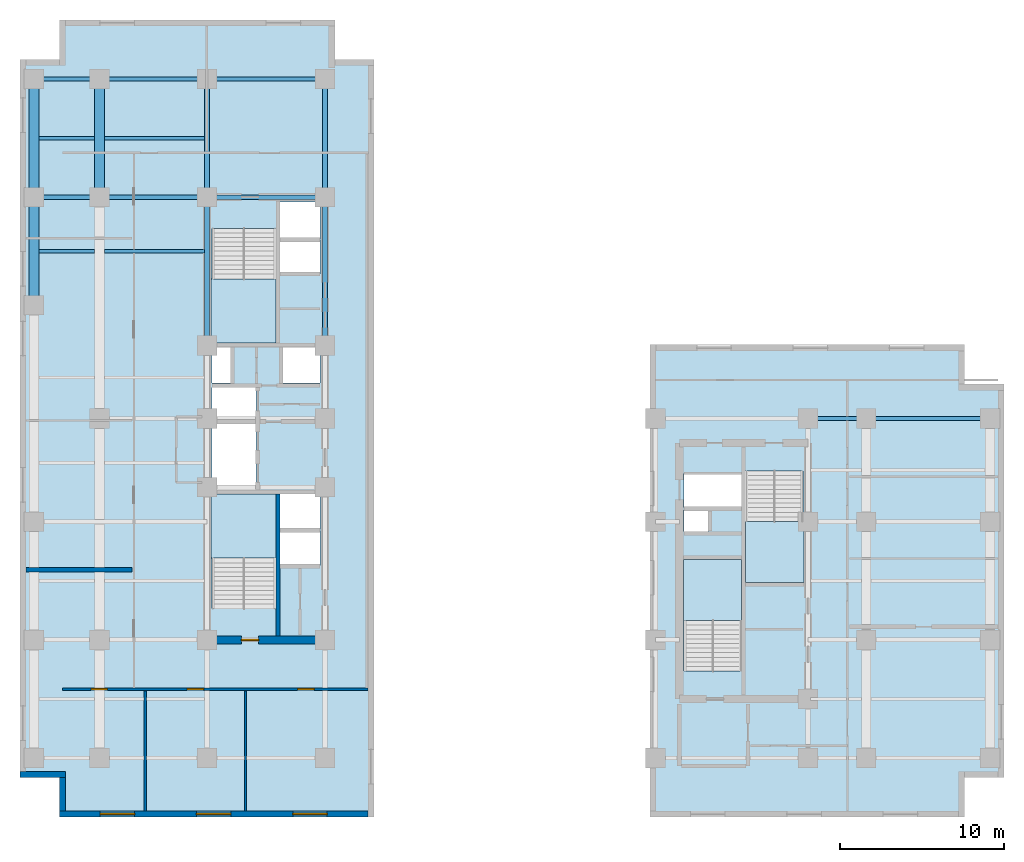
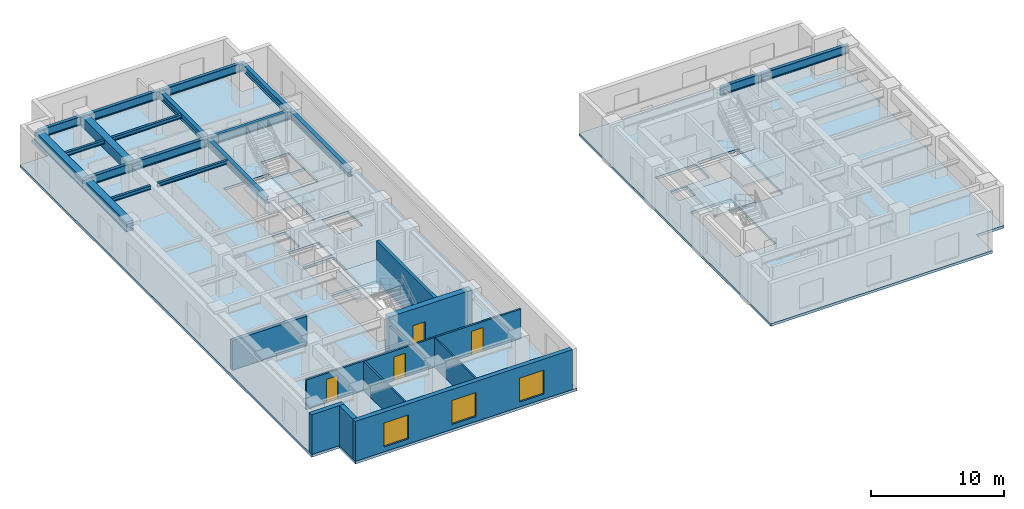
# One storey, part 2 of 9: 19 beams, 9 walls, 6 slabs, 4 doors, 3 windows, 7 openings, 4 elements without a shape of their own.
"""IFC4 building model written with IfcOpenShell, lengths in metres."""

import ifcopenshell
import ifcopenshell.guid

model = None  # the IFC model being written
_history = None  # IfcOwnerHistory: only IFC2X3 demands one
_inside = {}  # id of a spatial element -> (the spatial element, [elements in it])
_under = {}  # id of a project, library or spatial element -> (it, [spatial elements below it])
_declared = {}  # id of a project -> (the project, [libraries it declares])
_typed = {}  # id of a type object -> (the type object, [elements of that type])
_made_of = {}  # id of a material, layer set ... -> (it, [elements and type objects made of it])


def new_model(schema):
    """Start an empty IFC model of exactly this schema.

    Asked for "IFC4X3", IfcOpenShell would pick the latest addendum, in which some entities
    have other attributes; the version numbers below select the first issue.
    IFC2X3 requires an IfcOwnerHistory on every rooted entity: one is made here for all.
    """
    global model, _history
    if schema == "IFC4X3":
        model = ifcopenshell.file(schema_version=(4, 3, 0, 0))
    else:
        model = ifcopenshell.file(schema=schema)
    _inside.clear()
    _under.clear()
    _declared.clear()
    _typed.clear()
    _made_of.clear()
    _history = None
    if model.schema == "IFC2X3":
        org = make("IfcOrganization", Name="unknown")
        user = make(
            "IfcPersonAndOrganization",
            ThePerson=make("IfcPerson", FamilyName="unknown"),
            TheOrganization=org,
        )
        app = make(
            "IfcApplication",
            ApplicationDeveloper=org,
            Version="unknown",
            ApplicationFullName="unknown",
            ApplicationIdentifier="unknown",
        )
        _history = make(
            "IfcOwnerHistory",
            OwningUser=user,
            OwningApplication=app,
            ChangeAction="ADDED",
            CreationDate=0,
        )
    return model


def make(cls, **values):
    """One entity of the class cls with the attributes given. An attribute that is None is left unset."""
    return model.create_entity(
        cls, **{name: value for name, value in values.items() if value is not None}
    )


def entity(cls, *values):
    """Any entity or typed value of the class cls, its attributes in the order of the schema. None: left unset."""
    e = model.create_entity(cls)
    for i, value in enumerate(values):
        if value is not None:
            e[i] = value
    return e


def rooted(cls, **values):
    """An entity with a GlobalId (a new one), such as an element, a storey or a relation."""
    return make(cls, GlobalId=ifcopenshell.guid.new(), OwnerHistory=_history, **values)


def si_unit(unit_type, name, prefix=None):
    """IfcSIUnit, for example si_unit("LENGTHUNIT", "METRE", prefix="MILLI")."""
    return make("IfcSIUnit", UnitType=unit_type, Prefix=prefix, Name=name)


def converted_unit(unit_type, name, factor, base, dimensions=None, offset=None):
    """IfcConversionBasedUnit, such as the inch: factor (a typed value) times the base unit."""
    return make(
        "IfcConversionBasedUnit"
        if offset is None
        else "IfcConversionBasedUnitWithOffset",
        ConversionOffset=offset,
        Dimensions=None
        if dimensions is None
        else entity("IfcDimensionalExponents", *dimensions),
        UnitType=unit_type,
        Name=name,
        ConversionFactor=make(
            "IfcMeasureWithUnit", ValueComponent=factor, UnitComponent=base
        ),
    )


def assignment(units):
    """IfcUnitAssignment: the units of a project."""
    return None if units is None else make("IfcUnitAssignment", Units=units)


def point(xyz):
    """IfcCartesianPoint."""
    return None if xyz is None else make("IfcCartesianPoint", Coordinates=xyz)


def direction(xyz):
    """IfcDirection."""
    return None if xyz is None else make("IfcDirection", DirectionRatios=xyz)


def frame(location, z_axis=None, x_axis=None):
    """IfcAxis2Placement3D, a coordinate frame: its origin and axes. An axis left out is left unset."""
    return make(
        "IfcAxis2Placement3D",
        Location=point(location),
        Axis=direction(z_axis),
        RefDirection=direction(x_axis),
    )


def frame_2d(location, x_axis=None):
    """IfcAxis2Placement2D, a coordinate frame in the plane: its origin and x axis."""
    return make(
        "IfcAxis2Placement2D", Location=point(location), RefDirection=direction(x_axis)
    )


def origin_with_axes():
    """The frame at (0, 0, 0) with the z axis (0, 0, 1) and the x axis (1, 0, 0) written out."""
    return frame((0.0, 0.0, 0.0), z_axis=(0.0, 0.0, 1.0), x_axis=(1.0, 0.0, 0.0))


def origin_2d_with_axis():
    """The frame at (0, 0) in the plane with the x axis (1, 0) written out."""
    return frame_2d((0.0, 0.0), x_axis=(1.0, 0.0))


def place(relative_to, where):
    """IfcLocalPlacement: puts the frame where relative to a parent placement (None: the world)."""
    return make(
        "IfcLocalPlacement", PlacementRelTo=relative_to, RelativePlacement=where
    )


def context(
    kind, dimensions, precision=None, world=None, true_north=None, identifier=None
):
    """IfcGeometricRepresentationContext, for example the 3D "Model" context."""
    return make(
        "IfcGeometricRepresentationContext",
        ContextIdentifier=identifier,
        ContextType=kind,
        CoordinateSpaceDimension=dimensions,
        Precision=precision,
        WorldCoordinateSystem=world,
        TrueNorth=true_north,
    )


def subcontext(parent, identifier, kind, view, scale=None):
    """IfcGeometricRepresentationSubContext, for example "Body" below "Model"."""
    return make(
        "IfcGeometricRepresentationSubContext",
        ContextIdentifier=identifier,
        ContextType=kind,
        ParentContext=parent,
        TargetScale=scale,
        TargetView=view,
    )


def project(units=None, contexts=None):
    """IfcProject with its units and contexts."""
    return rooted(
        "IfcProject",
        Name="project",
        RepresentationContexts=contexts,
        UnitsInContext=assignment(units),
    )


def spatial(cls, under=None, at=None, **own):
    """A site, building, storey or space (cls), placed at a placement, below another one or the project."""
    s = rooted(cls, ObjectPlacement=at, **own)
    if under is not None:
        _under.setdefault(under.id(), (under, []))[1].append(s)
    return s


def polyline(points):
    """IfcPolyline through the points."""
    return make("IfcPolyline", Points=[point(p) for p in points])


def profile(cls, at=None, kind="AREA", **sizes):
    """A parametric profile (cls). Its sizes go by their IFC names, for example OverallWidth=200.0."""
    return make(cls, ProfileType=kind, Position=at, **sizes)


def rectangle(**sizes):
    """IfcRectangleProfileDef."""
    return profile("IfcRectangleProfileDef", **sizes)


def i_section(**sizes):
    """IfcIShapeProfileDef."""
    return profile("IfcIShapeProfileDef", **sizes)


def outline(outer, holes=None, kind="AREA"):
    """IfcArbitraryClosedProfileDef: a profile drawn as a closed curve; with holes, ...WithVoids."""
    if holes is None:
        return make("IfcArbitraryClosedProfileDef", ProfileType=kind, OuterCurve=outer)
    return make(
        "IfcArbitraryProfileDefWithVoids",
        ProfileType=kind,
        OuterCurve=outer,
        InnerCurves=holes,
    )


def extrude(swept, where, along, depth):
    """IfcExtrudedAreaSolid: the profile swept, set in the frame where, extruded along a direction by depth."""
    return make(
        "IfcExtrudedAreaSolid",
        SweptArea=swept,
        Position=where,
        ExtrudedDirection=direction(along),
        Depth=depth,
    )


def shape(context_of_items, identifier, shape_type, items):
    """IfcShapeRepresentation: the items that make up one representation, for example the "Body"."""
    return make(
        "IfcShapeRepresentation",
        ContextOfItems=context_of_items,
        RepresentationIdentifier=identifier,
        RepresentationType=shape_type,
        Items=items,
    )


def material(Name=None, Category=None):
    """IfcMaterial."""
    return make("IfcMaterial", Name=Name, Category=Category)


def layer(
    of_material, thickness, ventilated=None, Name=None, Category=None, Priority=None
):
    """IfcMaterialLayer: one layer of a wall or slab, of a material (None: an air gap)."""
    return make(
        "IfcMaterialLayer",
        Material=of_material,
        LayerThickness=thickness,
        IsVentilated=ventilated,
        Name=Name,
        Category=Category,
        Priority=Priority,
    )


def layer_set(layers, Name=None):
    """IfcMaterialLayerSet."""
    return make("IfcMaterialLayerSet", MaterialLayers=layers, LayerSetName=Name)


def material_profile(
    of_material, cross_section, Name=None, Category=None, Priority=None
):
    """IfcMaterialProfile: a cross section and its material."""
    return make(
        "IfcMaterialProfile",
        Name=Name,
        Material=of_material,
        Profile=cross_section,
        Priority=Priority,
        Category=Category,
    )


def profile_set(profiles, Name=None, composite=None):
    """IfcMaterialProfileSet."""
    return make(
        "IfcMaterialProfileSet",
        Name=Name,
        MaterialProfiles=profiles,
        CompositeProfile=composite,
    )


def made_of(thing, what):
    """Note that an element or type object is made of a material, layer set ...; save() writes the relation."""
    if what is not None:
        _made_of.setdefault(what.id(), (what, []))[1].append(thing)
    return thing


def type_object(cls, material=None, **own):
    """A type object (cls), such as IfcWallType, which elements share."""
    return made_of(rooted(cls, **own), material)


def element(
    cls,
    number,
    at=None,
    inside=None,
    cuts=None,
    type_object=None,
    material=None,
    context=None,
    identifier="Body",
    shape_type=None,
    held_by="IfcProductDefinitionShape",
    body=None,
    shapes=None,
    **own,
):
    """One element of the class cls, such as IfcWall. Its Tag is "e" and its number.

    at: its placement. inside: the storey or other place that contains it. cuts: it is an
    opening in that element (IfcRelVoidsElement). A single representation is given by context,
    identifier, shape_type and body (its items); several are given by shapes. held_by: the class
    of the entity that holds the representations. save() writes the other relations.
    """
    e = rooted(cls, Tag="e%d" % number, ObjectPlacement=at, **own)
    if body is not None:
        shapes = [shape(context, identifier, shape_type, body)]
    if shapes is not None:
        e.Representation = make(held_by, Representations=shapes)
    if inside is not None:
        _inside.setdefault(inside.id(), (inside, []))[1].append(e)
    if cuts is not None:
        rooted(
            "IfcRelVoidsElement", RelatingBuildingElement=cuts, RelatedOpeningElement=e
        )
    if type_object is not None:
        _typed.setdefault(type_object.id(), (type_object, []))[1].append(e)
    return made_of(e, material)


def fill(opening, filler):
    """IfcRelFillsElement: the door or window that sits in an opening."""
    return rooted(
        "IfcRelFillsElement",
        RelatingOpeningElement=opening,
        RelatedBuildingElement=filler,
    )


def aggregate(whole, parts):
    """IfcRelAggregates: a whole, such as a stair, and the parts it consists of."""
    return rooted("IfcRelAggregates", RelatingObject=whole, RelatedObjects=parts)


def save(model, path):
    """Write the relations noted so far, then the file.

    IfcRelAggregates (storeys below a building ...), IfcRelContainedInSpatialStructure (elements
    in a storey), IfcRelDefinesByType, IfcRelAssociatesMaterial and IfcRelDeclares: one each for
    every whole, place, type object, material and project.
    """
    for whole, parts in _under.values():
        aggregate(whole, parts)
    for where, things in _inside.values():
        rooted(
            "IfcRelContainedInSpatialStructure",
            RelatedElements=things,
            RelatingStructure=where,
        )
    for kind, things in _typed.values():
        rooted("IfcRelDefinesByType", RelatedObjects=things, RelatingType=kind)
    for what, things in _made_of.values():
        rooted("IfcRelAssociatesMaterial", RelatedObjects=things, RelatingMaterial=what)
    for by, libraries in _declared.values():
        rooted("IfcRelDeclares", RelatingContext=by, RelatedDefinitions=libraries)
    model.write(path)


model = new_model("IFC4")

# Units and contexts
model_context = context("Model", 3, precision=1e-05, world=origin_with_axes(), true_north=direction((0.0, 1.0)))
body_context = subcontext(model_context, "Body", "Model", "MODEL_VIEW")
ifc_project = project(units=[si_unit("LENGTHUNIT", "METRE"), si_unit("AREAUNIT", "SQUARE_METRE"), si_unit("VOLUMEUNIT", "CUBIC_METRE"), converted_unit("PLANEANGLEUNIT", "DEGREE", entity("IfcPlaneAngleMeasure", 0.017453292519943295), si_unit("PLANEANGLEUNIT", "RADIAN"), dimensions=[0, 0, 0, 0, 0, 0, 0]), si_unit("MASSUNIT", "GRAM", prefix="KILO"), si_unit("THERMODYNAMICTEMPERATUREUNIT", "KELVIN")], contexts=[model_context])

# Site, building, storey
site_placement = place(None, origin_with_axes())
site = spatial("IfcSite", under=ifc_project, at=site_placement, CompositionType="ELEMENT")
building_placement = place(site_placement, origin_with_axes())
building = spatial("IfcBuilding", under=site, at=building_placement, Name="Varnlund Millrace Tower", CompositionType="ELEMENT")
storey_placement = place(building_placement, frame((0.0, 0.0, 96.9), z_axis=(0.0, 0.0, 1.0), x_axis=(1.0, 0.0, 0.0)))
storey = spatial("IfcBuildingStorey", under=building, at=storey_placement, Name="L23", CompositionType="ELEMENT", Elevation=96.9)

# Beams
ifc_material_1 = material(Name="Steel ASTM A992 Grade 50", Category="steel")
ifc_material_profile_1 = material_profile(ifc_material_1, i_section(OverallWidth=0.328, OverallDepth=0.628, WebThickness=0.0165, FlangeThickness=0.0277, FilletRadius=0.018, at=origin_2d_with_axis()), Name="Steel ASTM A992 Grade 50")
ifc_profile_set_1 = profile_set([ifc_material_profile_1], Name="Steel ASTM A992 Grade 50")
beam_type_1 = type_object("IfcBeamType", Name="Type-Girder-W24X146", PredefinedType="USERDEFINED", material=ifc_profile_set_1)
beam_1_placement = place(storey_placement, frame((11.4, 28.75, 3.346), z_axis=(0.0, 1.0, 0.0), x_axis=(-1.0, 0.0, 0.0)))
element("IfcBeam", 1, at=beam_1_placement, inside=storey, type_object=beam_type_1, Name="Type-Girder-W24X146", ObjectType="GIRDER", PredefinedType="USERDEFINED", context=body_context, shape_type="SweptSolid", body=[
    extrude(i_section(OverallWidth=0.328, OverallDepth=0.628, WebThickness=0.0165, FlangeThickness=0.0277, FilletRadius=0.018, at=origin_2d_with_axis()), origin_with_axes(), (0.0, 0.0, 1.0), 9.05),
])
beam_2_placement = place(storey_placement, frame((11.4, 37.8, 3.346), z_axis=(0.0, 1.0, 0.0), x_axis=(-1.0, 0.0, 0.0)))
element("IfcBeam", 2, at=beam_2_placement, inside=storey, type_object=beam_type_1, Name="Type-Girder-W24X146", ObjectType="GIRDER", PredefinedType="USERDEFINED", context=body_context, shape_type="SweptSolid", body=[
    extrude(i_section(OverallWidth=0.328, OverallDepth=0.628, WebThickness=0.0165, FlangeThickness=0.0277, FilletRadius=0.018, at=origin_2d_with_axis()), origin_with_axes(), (0.0, 0.0, 1.0), 7.2),
])
beam_3_placement = place(storey_placement, frame((18.6, 28.75, 3.346), z_axis=(0.0, 1.0, 0.0), x_axis=(-1.0, 0.0, 0.0)))
element("IfcBeam", 3, at=beam_3_placement, inside=storey, type_object=beam_type_1, Name="Type-Girder-W24X146", ObjectType="GIRDER", PredefinedType="USERDEFINED", context=body_context, shape_type="SweptSolid", body=[
    extrude(i_section(OverallWidth=0.328, OverallDepth=0.628, WebThickness=0.0165, FlangeThickness=0.0277, FilletRadius=0.018, at=origin_2d_with_axis()), origin_with_axes(), (0.0, 0.0, 1.0), 9.05),
])
beam_4_placement = place(storey_placement, frame((18.6, 37.8, 3.346), z_axis=(0.0, 1.0, 0.0), x_axis=(-1.0, 0.0, 0.0)))
element("IfcBeam", 4, at=beam_4_placement, inside=storey, type_object=beam_type_1, Name="Type-Girder-W24X146", ObjectType="GIRDER", PredefinedType="USERDEFINED", context=body_context, shape_type="SweptSolid", body=[
    extrude(i_section(OverallWidth=0.328, OverallDepth=0.628, WebThickness=0.0165, FlangeThickness=0.0277, FilletRadius=0.018, at=origin_2d_with_axis()), origin_with_axes(), (0.0, 0.0, 1.0), 7.2),
])
ifc_material_profile_2 = material_profile(ifc_material_1, i_section(OverallWidth=0.266, OverallDepth=0.779, WebThickness=0.0165, FlangeThickness=0.03, FilletRadius=0.02, at=origin_2d_with_axis()), Name="Steel ASTM A992 Grade 50")
ifc_profile_set_2 = profile_set([ifc_material_profile_2], Name="Steel ASTM A992 Grade 50")
beam_type_2 = type_object("IfcBeamType", Name="Type-Girder-W30X148", PredefinedType="USERDEFINED", material=ifc_profile_set_2)
beam_5_placement = place(storey_placement, frame((48.05, 24.3, 3.2705), z_axis=(1.0, 0.0, 0.0), x_axis=(0.0, 1.0, 0.0)))
element("IfcBeam", 5, at=beam_5_placement, inside=storey, type_object=beam_type_2, Name="Type-Girder-W30X148", ObjectType="GIRDER", PredefinedType="USERDEFINED", context=body_context, shape_type="SweptSolid", body=[
    extrude(i_section(OverallWidth=0.266, OverallDepth=0.779, WebThickness=0.0165, FlangeThickness=0.03, FilletRadius=0.02, at=origin_2d_with_axis()), origin_with_axes(), (0.0, 0.0, 1.0), 3.55),
])
beam_6_placement = place(storey_placement, frame((51.6, 24.3, 3.2705), z_axis=(1.0, 0.0, 0.0), x_axis=(0.0, 1.0, 0.0)))
element("IfcBeam", 6, at=beam_6_placement, inside=storey, type_object=beam_type_2, Name="Type-Girder-W30X148", ObjectType="GIRDER", PredefinedType="USERDEFINED", context=body_context, shape_type="SweptSolid", body=[
    extrude(i_section(OverallWidth=0.266, OverallDepth=0.779, WebThickness=0.0165, FlangeThickness=0.03, FilletRadius=0.02, at=origin_2d_with_axis()), origin_with_axes(), (0.0, 0.0, 1.0), 7.55),
])
beam_7_placement = place(storey_placement, frame((0.85, 37.8, 3.2705), z_axis=(1.0, 0.0, 0.0), x_axis=(0.0, 1.0, 0.0)))
element("IfcBeam", 7, at=beam_7_placement, inside=storey, type_object=beam_type_2, Name="Type-Girder-W30X148", ObjectType="GIRDER", PredefinedType="USERDEFINED", context=body_context, shape_type="SweptSolid", body=[
    extrude(i_section(OverallWidth=0.266, OverallDepth=0.779, WebThickness=0.0165, FlangeThickness=0.03, FilletRadius=0.02, at=origin_2d_with_axis()), origin_with_axes(), (0.0, 0.0, 1.0), 4.0),
])
beam_8_placement = place(storey_placement, frame((4.85, 37.8, 3.2705), z_axis=(1.0, 0.0, 0.0), x_axis=(0.0, 1.0, 0.0)))
element("IfcBeam", 8, at=beam_8_placement, inside=storey, type_object=beam_type_2, Name="Type-Girder-W30X148", ObjectType="GIRDER", PredefinedType="USERDEFINED", context=body_context, shape_type="SweptSolid", body=[
    extrude(i_section(OverallWidth=0.266, OverallDepth=0.779, WebThickness=0.0165, FlangeThickness=0.03, FilletRadius=0.02, at=origin_2d_with_axis()), origin_with_axes(), (0.0, 0.0, 1.0), 6.55),
])
beam_9_placement = place(storey_placement, frame((11.4, 37.8, 3.2705), z_axis=(1.0, 0.0, 0.0), x_axis=(0.0, 1.0, 0.0)))
element("IfcBeam", 9, at=beam_9_placement, inside=storey, type_object=beam_type_2, Name="Type-Girder-W30X148", ObjectType="GIRDER", PredefinedType="USERDEFINED", context=body_context, shape_type="SweptSolid", body=[
    extrude(i_section(OverallWidth=0.266, OverallDepth=0.779, WebThickness=0.0165, FlangeThickness=0.03, FilletRadius=0.02, at=origin_2d_with_axis()), origin_with_axes(), (0.0, 0.0, 1.0), 7.2),
])
beam_10_placement = place(storey_placement, frame((0.85, 45.0, 3.2705), z_axis=(1.0, 0.0, 0.0), x_axis=(0.0, 1.0, 0.0)))
element("IfcBeam", 10, at=beam_10_placement, inside=storey, type_object=beam_type_2, Name="Type-Girder-W30X148", ObjectType="GIRDER", PredefinedType="USERDEFINED", context=body_context, shape_type="SweptSolid", body=[
    extrude(i_section(OverallWidth=0.266, OverallDepth=0.779, WebThickness=0.0165, FlangeThickness=0.03, FilletRadius=0.02, at=origin_2d_with_axis()), origin_with_axes(), (0.0, 0.0, 1.0), 4.0),
])
beam_11_placement = place(storey_placement, frame((4.85, 45.0, 3.2705), z_axis=(1.0, 0.0, 0.0), x_axis=(0.0, 1.0, 0.0)))
element("IfcBeam", 11, at=beam_11_placement, inside=storey, type_object=beam_type_2, Name="Type-Girder-W30X148", ObjectType="GIRDER", PredefinedType="USERDEFINED", context=body_context, shape_type="SweptSolid", body=[
    extrude(i_section(OverallWidth=0.266, OverallDepth=0.779, WebThickness=0.0165, FlangeThickness=0.03, FilletRadius=0.02, at=origin_2d_with_axis()), origin_with_axes(), (0.0, 0.0, 1.0), 6.55),
])
beam_12_placement = place(storey_placement, frame((11.4, 45.0, 3.2705), z_axis=(1.0, 0.0, 0.0), x_axis=(0.0, 1.0, 0.0)))
element("IfcBeam", 12, at=beam_12_placement, inside=storey, type_object=beam_type_2, Name="Type-Girder-W30X148", ObjectType="GIRDER", PredefinedType="USERDEFINED", context=body_context, shape_type="SweptSolid", body=[
    extrude(i_section(OverallWidth=0.266, OverallDepth=0.779, WebThickness=0.0165, FlangeThickness=0.03, FilletRadius=0.02, at=origin_2d_with_axis()), origin_with_axes(), (0.0, 0.0, 1.0), 7.2),
])
ifc_material_profile_3 = material_profile(ifc_material_1, i_section(OverallWidth=0.204, OverallDepth=0.35, WebThickness=0.0086, FlangeThickness=0.0151, FilletRadius=0.013, at=origin_2d_with_axis()), Name="Steel ASTM A992 Grade 50")
ifc_profile_set_3 = profile_set([ifc_material_profile_3], Name="Steel ASTM A992 Grade 50")
beam_type_3 = type_object("IfcBeamType", Name="Type-Joist-W14X48", PredefinedType="JOIST", material=ifc_profile_set_3)
for number, where, z_axis, x_axis, name in (
    (13, (1.15, 34.5, 3.485), (1.0, 0.0, 0.0), (0.0, 1.0, 0.0), "Type-Joist-W14X48"),
    (14, (1.15, 41.4, 3.485), (1.0, 0.0, 0.0), (0.0, 1.0, 0.0), "Type-Joist-W14X48"),
):
    element("IfcBeam", number, at=place(storey_placement, frame(where, z_axis=z_axis, x_axis=x_axis)), inside=storey, type_object=beam_type_3, Name=name, PredefinedType="JOIST", context=body_context, shape_type="SweptSolid", body=[
        extrude(i_section(OverallWidth=0.204, OverallDepth=0.35, WebThickness=0.0086, FlangeThickness=0.0151, FilletRadius=0.013, at=origin_2d_with_axis()), origin_with_axes(), (0.0, 0.0, 1.0), 3.4),
    ])
for number, where, z_axis, x_axis, name in (
    (15, (5.15, 34.5, 3.485), (1.0, 0.0, 0.0), (0.0, 1.0, 0.0), "Type-Joist-W14X48"),
    (16, (5.15, 41.4, 3.485), (1.0, 0.0, 0.0), (0.0, 1.0, 0.0), "Type-Joist-W14X48"),
):
    element("IfcBeam", number, at=place(storey_placement, frame(where, z_axis=z_axis, x_axis=x_axis)), inside=storey, type_object=beam_type_3, Name=name, PredefinedType="JOIST", context=body_context, shape_type="SweptSolid", body=[
        extrude(i_section(OverallWidth=0.204, OverallDepth=0.35, WebThickness=0.0086, FlangeThickness=0.0151, FilletRadius=0.013, at=origin_2d_with_axis()), origin_with_axes(), (0.0, 0.0, 1.0), 6.086),
    ])
ifc_material_2 = material(Name="Concrete C70/85", Category="concrete")
ifc_material_profile_4 = material_profile(ifc_material_2, rectangle(XDim=0.6, YDim=0.9, at=origin_2d_with_axis()), Name="Concrete C70/85")
ifc_profile_set_4 = profile_set([ifc_material_profile_4], Name="Concrete C70/85")
beam_type_4 = type_object("IfcBeamType", Name="Type-Spandrel-RC600X900", PredefinedType="SPANDREL", material=ifc_profile_set_4)
beam_13_placement = place(storey_placement, frame((0.85, 31.2, 3.21), z_axis=(0.0, 1.0, 0.0), x_axis=(-1.0, 0.0, 0.0)))
element("IfcBeam", 17, at=beam_13_placement, inside=storey, type_object=beam_type_4, Name="Type-Spandrel-RC600X900", PredefinedType="SPANDREL", context=body_context, shape_type="SweptSolid", body=[
    extrude(rectangle(XDim=0.6, YDim=0.9, at=origin_2d_with_axis()), origin_with_axes(), (0.0, 0.0, 1.0), 6.6),
])
for number, where, z_axis, x_axis, name in (
    (18, (0.85, 37.8, 3.21), (0.0, 1.0, 0.0), (-1.0, 0.0, 0.0), "Type-Spandrel-RC600X900"),
    (19, (4.85, 37.8, 3.21), (0.0, 1.0, 0.0), (-1.0, 0.0, 0.0), "Type-Spandrel-RC600X900"),
):
    element("IfcBeam", number, at=place(storey_placement, frame(where, z_axis=z_axis, x_axis=x_axis)), inside=storey, type_object=beam_type_4, Name=name, PredefinedType="SPANDREL", context=body_context, shape_type="SweptSolid", body=[
        extrude(rectangle(XDim=0.6, YDim=0.9, at=origin_2d_with_axis()), origin_with_axes(), (0.0, 0.0, 1.0), 7.2),
    ])

# Slabs
ifc_material_3 = material(Name="Concrete C60/75", Category="concrete")
ifc_layer_1 = layer(ifc_material_3, 0.24, Name="Concrete C60/75")
ifc_layer_set_1 = layer_set([ifc_layer_1], Name="Concrete C60/75")
slab_type_1 = type_object("IfcSlabType", Name="Type-Deck-Plate-Typical-240", PredefinedType="FLOOR", material=ifc_layer_set_1)
slab_1_placement = place(storey_placement, frame((0.0, 0.0, -0.24), z_axis=(0.0, 0.0, 1.0), x_axis=(1.0, 0.0, 0.0)))
element("IfcSlab", 20, at=slab_1_placement, inside=storey, type_object=slab_type_1, Name="Type-Deck-Plate-Typical-240", PredefinedType="FLOOR", context=body_context, shape_type="SweptSolid", body=[
    extrude(outline(polyline([(2.4, 2.4), (2.4, 0.0), (21.6, 0.0), (21.6, 46.2), (19.2, 46.2), (19.2, 48.6), (2.4, 48.6), (2.4, 46.2), (0.0, 46.2), (0.0, 2.4), (2.4, 2.4)]), holes=[polyline([(15.6, 19.7), (15.6, 12.715), (11.7, 12.715), (11.7, 19.7), (15.6, 19.7)]), polyline([(11.7, 23.98), (14.38, 23.98), (14.38, 19.94), (11.7, 19.94), (11.7, 23.98)]), polyline([(14.38, 24.24), (11.7, 24.24), (11.7, 26.2), (14.38, 26.2), (14.38, 24.24)]), polyline([(12.84, 26.46), (11.7, 26.46), (11.7, 28.65), (12.84, 28.65), (12.84, 26.46)]), polyline([(15.6, 35.885), (15.6, 28.9), (11.7, 28.9), (11.7, 35.885), (15.6, 35.885)]), polyline([(18.3, 15.34), (15.84, 15.34), (15.84, 17.46), (18.3, 17.46), (18.3, 15.34)]), polyline([(18.3, 17.52), (15.84, 17.52), (15.84, 19.7), (18.3, 19.7), (18.3, 17.52)]), polyline([(18.3, 28.65), (18.3, 26.46), (16.04, 26.46), (16.04, 28.65), (18.3, 28.65)]), polyline([(18.3, 33.12), (15.84, 33.12), (15.84, 35.18), (18.3, 35.18), (18.3, 33.12)]), polyline([(18.3, 35.22), (15.84, 35.22), (15.84, 37.5), (18.3, 37.5), (18.3, 35.22)])]), origin_with_axes(), (0.0, 0.0, 1.0), 0.24),
])
slab_2_placement = place(storey_placement, frame((0.0, 0.0, -0.24), z_axis=(0.0, 0.0, 1.0), x_axis=(1.0, 0.0, 0.0)))
element("IfcSlab", 21, at=slab_2_placement, inside=storey, type_object=slab_type_1, Name="Type-Deck-Plate-Typical-240", PredefinedType="FLOOR", context=body_context, shape_type="SweptSolid", body=[
    extrude(outline(polyline([(38.4, 0.0), (57.6, 0.0), (57.6, 2.4), (60.0, 2.4), (60.0, 26.4), (57.6, 26.4), (57.6, 28.8), (38.4, 28.8), (38.4, 0.0)]), holes=[polyline([(40.5, 15.7), (44.0, 15.7), (44.0, 8.915), (40.5, 8.915), (40.5, 15.7)]), polyline([(44.25, 21.085), (47.75, 21.085), (47.75, 14.3), (44.25, 14.3), (44.25, 21.085)]), polyline([(40.5, 18.72), (41.95, 18.72), (41.95, 17.42), (40.5, 17.42), (40.5, 18.72)]), polyline([(40.5, 20.94), (44.0, 20.94), (44.0, 18.88), (40.5, 18.88), (40.5, 20.94)])]), origin_with_axes(), (0.0, 0.0, 1.0), 0.24),
])

# Stair, slab
ifc_material_4 = material(Name="Concrete C50/60", Category="concrete")
stair_type_1 = type_object("IfcStairType", Name="Type-Stair-Dogleg-185-390", PredefinedType="HALF_TURN_STAIR", material=ifc_material_4)
stair_1_placement = place(storey_placement, origin_with_axes())
stair_1 = element("IfcStair", 22, at=stair_1_placement, inside=storey, type_object=stair_type_1, Name="Type-Stair-Dogleg-185-390", PredefinedType="HALF_TURN_STAIR")
ifc_layer_2 = layer(ifc_material_4, 0.2, Name="Concrete C50/60")
ifc_layer_set_2 = layer_set([ifc_layer_2], Name="Concrete C50/60")
slab_type_2 = type_object("IfcSlabType", Name="Type-StairLanding-200", PredefinedType="LANDING", material=ifc_layer_set_2)
slab_3_placement = place(storey_placement, frame((0.0, 0.0, 1.75), z_axis=(0.0, 0.0, 1.0), x_axis=(1.0, 0.0, 0.0)))
slab_3 = element("IfcSlab", 23, at=slab_3_placement, type_object=slab_type_2, Name="ST-A1 landing 1", PredefinedType="LANDING", context=body_context, shape_type="SweptSolid", body=[
    extrude(outline(polyline([(15.6, 15.78), (15.6, 19.7), (11.65, 19.7), (11.65, 15.78), (15.6, 15.78)])), origin_with_axes(), (0.0, 0.0, 1.0), 0.2),
])
aggregate(stair_1, [slab_3])

stair_2_placement = place(storey_placement, origin_with_axes())
stair_2 = element("IfcStair", 24, at=stair_2_placement, inside=storey, type_object=stair_type_1, Name="Type-Stair-Dogleg-185-390", PredefinedType="HALF_TURN_STAIR")
slab_4_placement = place(storey_placement, frame((0.0, 0.0, 1.75), z_axis=(0.0, 0.0, 1.0), x_axis=(1.0, 0.0, 0.0)))
slab_4 = element("IfcSlab", 25, at=slab_4_placement, type_object=slab_type_2, Name="ST-A2 landing 1", PredefinedType="LANDING", context=body_context, shape_type="SweptSolid", body=[
    extrude(outline(polyline([(11.65, 32.82), (11.65, 28.9), (15.6, 28.9), (15.6, 32.82), (11.65, 32.82)])), origin_with_axes(), (0.0, 0.0, 1.0), 0.2),
])
aggregate(stair_2, [slab_4])

stair_type_2 = type_object("IfcStairType", Name="Type-Stair-Dogleg-165-390", PredefinedType="HALF_TURN_STAIR", material=ifc_material_4)
stair_3_placement = place(storey_placement, origin_with_axes())
stair_3 = element("IfcStair", 26, at=stair_3_placement, inside=storey, type_object=stair_type_2, Name="Type-Stair-Dogleg-165-390", PredefinedType="HALF_TURN_STAIR")
slab_5_placement = place(storey_placement, frame((0.0, 0.0, 1.75), z_axis=(0.0, 0.0, 1.0), x_axis=(1.0, 0.0, 0.0)))
slab_5 = element("IfcSlab", 27, at=slab_5_placement, type_object=slab_type_2, Name="ST-B1 landing 1", PredefinedType="LANDING", context=body_context, shape_type="SweptSolid", body=[
    extrude(outline(polyline([(44.0, 11.98), (44.0, 15.7), (40.45, 15.7), (40.45, 11.98), (44.0, 11.98)])), origin_with_axes(), (0.0, 0.0, 1.0), 0.2),
])
aggregate(stair_3, [slab_5])

stair_4_placement = place(storey_placement, origin_with_axes())
stair_4 = element("IfcStair", 28, at=stair_4_placement, inside=storey, type_object=stair_type_2, Name="Type-Stair-Dogleg-165-390", PredefinedType="HALF_TURN_STAIR")
slab_6_placement = place(storey_placement, frame((0.0, 0.0, 1.75), z_axis=(0.0, 0.0, 1.0), x_axis=(1.0, 0.0, 0.0)))
slab_6 = element("IfcSlab", 29, at=slab_6_placement, type_object=slab_type_2, Name="ST-B2 landing 1", PredefinedType="LANDING", context=body_context, shape_type="SweptSolid", body=[
    extrude(outline(polyline([(44.25, 18.02), (44.25, 14.3), (47.8, 14.3), (47.8, 18.02), (44.25, 18.02)])), origin_with_axes(), (0.0, 0.0, 1.0), 0.2),
])
aggregate(stair_4, [slab_6])

# Wall, opening, door
ifc_layer_3 = layer(ifc_material_2, 0.5, Name="Concrete C70/85")
ifc_layer_set_3 = layer_set([ifc_layer_3], Name="Concrete C70/85")
wall_type_1 = type_object("IfcWallType", Name="Type-CoreWall-Shear-500-C70", PredefinedType="SHEAR", material=ifc_layer_set_3)
wall_1_placement = place(storey_placement, frame((11.4, 10.8, 0.0), z_axis=(0.0, 0.0, 1.0), x_axis=(1.0, 0.0, 0.0)))
wall_1 = element("IfcWall", 30, at=wall_1_placement, inside=storey, type_object=wall_type_1, Name="Type-CoreWall-Shear-500-C70", PredefinedType="SHEAR", context=body_context, shape_type="SweptSolid", body=[
    extrude(outline(polyline([(0.0, -0.25), (7.2, -0.25), (7.2, 0.25), (0.0, 0.25), (0.0, -0.25)])), origin_with_axes(), (0.0, 0.0, 1.0), 3.66),
])
opening_1_placement = place(wall_1_placement, frame((2.625, 0.0, 0.0), z_axis=(0.0, 0.0, 1.0), x_axis=(1.0, 0.0, 0.0)))
opening_1 = element("IfcOpeningElement", 31, at=opening_1_placement, cuts=wall_1, Name="Opening L23:DR-STA1", PredefinedType="OPENING", context=body_context, shape_type="SweptSolid", body=[
    extrude(rectangle(XDim=1.05, YDim=0.52, at=origin_2d_with_axis()), origin_with_axes(), (0.0, 0.0, 1.0), 2.15),
])
ifc_material_5 = material(Name="Fire-rated hollow steel door", Category="steel")
door_type_1 = type_object("IfcDoorType", Name="Type-FireDoor-Stair-1050X2150", OperationType="NOTDEFINED", PredefinedType="DOOR", material=ifc_material_5)
door_1_placement = place(wall_1_placement, frame((2.625, 0.0, 0.0), z_axis=(0.0, 0.0, 1.0), x_axis=(1.0, 0.0, 0.0)))
door_1 = element("IfcDoor", 32, at=door_1_placement, inside=storey, type_object=door_type_1, Name="Type-FireDoor-Stair-1050X2150", OperationType="SINGLE_SWING_LEFT", OverallHeight=2.15, OverallWidth=1.05, PredefinedType="DOOR", context=body_context, shape_type="SweptSolid", body=[
    extrude(rectangle(XDim=1.05, YDim=0.09, at=origin_2d_with_axis()), origin_with_axes(), (0.0, 0.0, 1.0), 2.15),
])
fill(opening_1, door_1)

# Wall, openings, windows
ifc_material_6 = material(Name="Precast concrete C50/60", Category="concrete")
ifc_layer_4 = layer(ifc_material_6, 0.38, Name="Precast concrete C50/60")
ifc_layer_set_4 = layer_set([ifc_layer_4], Name="Precast concrete C50/60")
wall_type_2 = type_object("IfcWallType", Name="Type-ExtWall-Precast-Tube-380", PredefinedType="SOLIDWALL", material=ifc_layer_set_4)
wall_2_placement = place(storey_placement, frame((21.22, 0.19, 0.0), z_axis=(0.0, 0.0, 1.0), x_axis=(-1.0, 0.0, 0.0)))
wall_2 = element("IfcWall", 33, at=wall_2_placement, inside=storey, type_object=wall_type_2, Name="Type-ExtWall-Precast-Tube-380", PredefinedType="SOLIDWALL", context=body_context, shape_type="SweptSolid", body=[
    extrude(outline(polyline([(0.0, -0.19), (18.82, -0.19), (18.82, 0.19), (0.0, 0.19), (0.0, -0.19)])), origin_with_axes(), (0.0, 0.0, 1.0), 3.66),
])
opening_2_placement = place(wall_2_placement, frame((3.537, 0.0, 0.45), z_axis=(0.0, 0.0, 1.0), x_axis=(1.0, 0.0, 0.0)))
opening_2 = element("IfcOpeningElement", 34, at=opening_2_placement, cuts=wall_2, Name="Opening L23:WN-10", PredefinedType="OPENING", context=body_context, shape_type="SweptSolid", body=[
    extrude(rectangle(XDim=2.1, YDim=0.4, at=origin_2d_with_axis()), origin_with_axes(), (0.0, 0.0, 1.0), 2.2),
])
opening_3_placement = place(wall_2_placement, frame((9.41, 0.0, 0.45), z_axis=(0.0, 0.0, 1.0), x_axis=(1.0, 0.0, 0.0)))
opening_3 = element("IfcOpeningElement", 35, at=opening_3_placement, cuts=wall_2, Name="Opening L23:WN-11", PredefinedType="OPENING", context=body_context, shape_type="SweptSolid", body=[
    extrude(rectangle(XDim=2.1, YDim=0.4, at=origin_2d_with_axis()), origin_with_axes(), (0.0, 0.0, 1.0), 2.2),
])
opening_4_placement = place(wall_2_placement, frame((15.283, 0.0, 0.45), z_axis=(0.0, 0.0, 1.0), x_axis=(1.0, 0.0, 0.0)))
opening_4 = element("IfcOpeningElement", 36, at=opening_4_placement, cuts=wall_2, Name="Opening L23:WN-12", PredefinedType="OPENING", context=body_context, shape_type="SweptSolid", body=[
    extrude(rectangle(XDim=2.1, YDim=0.4, at=origin_2d_with_axis()), origin_with_axes(), (0.0, 0.0, 1.0), 2.2),
])
ifc_material_7 = material(Name="Argon low-e triple glazing in thermally broken bronze frame", Category="glass")
window_type = type_object("IfcWindowType", Name="Type-Window-Punched-2100X2200", PartitioningType="SINGLE_PANEL", PredefinedType="WINDOW", material=ifc_material_7)
window_1_placement = place(wall_2_placement, frame((3.537, 0.0, 0.45), z_axis=(0.0, 0.0, 1.0), x_axis=(1.0, 0.0, 0.0)))
window_1 = element("IfcWindow", 37, at=window_1_placement, inside=storey, type_object=window_type, Name="Type-Window-Punched-2100X2200", OverallHeight=2.2, OverallWidth=2.1, PredefinedType="WINDOW", context=body_context, shape_type="SweptSolid", body=[
    extrude(rectangle(XDim=2.1, YDim=0.09, at=origin_2d_with_axis()), origin_with_axes(), (0.0, 0.0, 1.0), 2.2),
])
fill(opening_2, window_1)
window_2_placement = place(wall_2_placement, frame((9.41, 0.0, 0.45), z_axis=(0.0, 0.0, 1.0), x_axis=(1.0, 0.0, 0.0)))
window_2 = element("IfcWindow", 38, at=window_2_placement, inside=storey, type_object=window_type, Name="Type-Window-Punched-2100X2200", OverallHeight=2.2, OverallWidth=2.1, PredefinedType="WINDOW", context=body_context, shape_type="SweptSolid", body=[
    extrude(rectangle(XDim=2.1, YDim=0.09, at=origin_2d_with_axis()), origin_with_axes(), (0.0, 0.0, 1.0), 2.2),
])
fill(opening_3, window_2)
window_3_placement = place(wall_2_placement, frame((15.283, 0.0, 0.45), z_axis=(0.0, 0.0, 1.0), x_axis=(1.0, 0.0, 0.0)))
window_3 = element("IfcWindow", 39, at=window_3_placement, inside=storey, type_object=window_type, Name="Type-Window-Punched-2100X2200", OverallHeight=2.2, OverallWidth=2.1, PredefinedType="WINDOW", context=body_context, shape_type="SweptSolid", body=[
    extrude(rectangle(XDim=2.1, YDim=0.09, at=origin_2d_with_axis()), origin_with_axes(), (0.0, 0.0, 1.0), 2.2),
])
fill(opening_4, window_3)

# Walls
wall_3_placement = place(storey_placement, frame((2.59, 0.38, 0.0), z_axis=(0.0, 0.0, 1.0), x_axis=(0.0, 1.0, 0.0)))
element("IfcWall", 40, at=wall_3_placement, inside=storey, type_object=wall_type_2, Name="Type-ExtWall-Precast-Tube-380", PredefinedType="SOLIDWALL", context=body_context, shape_type="SweptSolid", body=[
    extrude(outline(polyline([(0.0, -0.19), (2.02, -0.19), (2.02, 0.19), (0.0, 0.19), (0.0, -0.19)])), origin_with_axes(), (0.0, 0.0, 1.0), 3.66),
])
wall_4_placement = place(storey_placement, frame((2.78, 2.59, 0.0), z_axis=(0.0, 0.0, 1.0), x_axis=(-1.0, 0.0, 0.0)))
element("IfcWall", 41, at=wall_4_placement, inside=storey, type_object=wall_type_2, Name="Type-ExtWall-Precast-Tube-380", PredefinedType="SOLIDWALL", context=body_context, shape_type="SweptSolid", body=[
    extrude(outline(polyline([(0.0, -0.19), (2.78, -0.19), (2.78, 0.19), (0.0, 0.19), (0.0, -0.19)])), origin_with_axes(), (0.0, 0.0, 1.0), 3.66),
])
ifc_material_8 = material(Name="Double-stud STC-60 conference acoustic partition", Category="gypsum")
ifc_layer_5 = layer(ifc_material_8, 0.28, Name="Double-stud STC-60 conference acoustic partition")
ifc_layer_set_5 = layer_set([ifc_layer_5], Name="Double-stud STC-60 conference acoustic partition")
wall_type_3 = type_object("IfcWallType", Name="Type-Partition-Acoustic-280", PredefinedType="PARTITIONING", material=ifc_layer_set_5)
wall_5_placement = place(storey_placement, frame((0.375, 15.083, 0.0), z_axis=(0.0, 0.0, 1.0), x_axis=(1.0, 0.0, 0.0)))
element("IfcWall", 42, at=wall_5_placement, inside=storey, type_object=wall_type_3, Name="Type-Partition-Acoustic-280", PredefinedType="PARTITIONING", context=body_context, shape_type="SweptSolid", body=[
    extrude(outline(polyline([(0.0, -0.14), (6.455, -0.14), (6.455, 0.14), (0.0, 0.14), (0.0, -0.14)])), origin_with_axes(), (0.0, 0.0, 1.0), 2.7),
])

# Wall, openings, doors
ifc_material_9 = material(Name="Fire-rated gypsum board on cold-formed steel framing", Category="steel")
ifc_layer_6 = layer(ifc_material_9, 0.16, Name="Fire-rated gypsum board on cold-formed steel framing")
ifc_layer_set_6 = layer_set([ifc_layer_6], Name="Fire-rated gypsum board on cold-formed steel framing")
wall_type_4 = type_object("IfcWallType", Name="Type-Partition-Corridor-160", PredefinedType="PARTITIONING", material=ifc_layer_set_6)
wall_6_placement = place(storey_placement, frame((2.6, 7.8, 0.0), z_axis=(0.0, 0.0, 1.0), x_axis=(1.0, 0.0, 0.0)))
wall_6 = element("IfcWall", 43, at=wall_6_placement, inside=storey, type_object=wall_type_4, Name="Type-Partition-Corridor-160", PredefinedType="PARTITIONING", context=body_context, shape_type="SweptSolid", body=[
    extrude(outline(polyline([(0.0, -0.08), (18.625, -0.08), (18.625, 0.08), (0.0, 0.08), (0.0, -0.08)])), origin_with_axes(), (0.0, 0.0, 1.0), 2.7),
])
opening_5_placement = place(wall_6_placement, frame((2.233, 0.0, 0.0), z_axis=(0.0, 0.0, 1.0), x_axis=(1.0, 0.0, 0.0)))
opening_5 = element("IfcOpeningElement", 44, at=opening_5_placement, cuts=wall_6, Name="Opening L23:DR-WAS-01", PredefinedType="OPENING", context=body_context, shape_type="SweptSolid", body=[
    extrude(rectangle(XDim=1.0, YDim=0.18, at=origin_2d_with_axis()), origin_with_axes(), (0.0, 0.0, 1.0), 2.15),
])
opening_6_placement = place(wall_6_placement, frame((8.0945, 0.0, 0.0), z_axis=(0.0, 0.0, 1.0), x_axis=(1.0, 0.0, 0.0)))
opening_6 = element("IfcOpeningElement", 45, at=opening_6_placement, cuts=wall_6, Name="Opening L23:DR-WAS-02", PredefinedType="OPENING", context=body_context, shape_type="SweptSolid", body=[
    extrude(rectangle(XDim=1.0, YDim=0.18, at=origin_2d_with_axis()), origin_with_axes(), (0.0, 0.0, 1.0), 2.15),
])
opening_7_placement = place(wall_6_placement, frame((14.827, 0.0, 0.0), z_axis=(0.0, 0.0, 1.0), x_axis=(1.0, 0.0, 0.0)))
opening_7 = element("IfcOpeningElement", 46, at=opening_7_placement, cuts=wall_6, Name="Opening L23:DR-WAS-03", PredefinedType="OPENING", context=body_context, shape_type="SweptSolid", body=[
    extrude(rectangle(XDim=1.0, YDim=0.18, at=origin_2d_with_axis()), origin_with_axes(), (0.0, 0.0, 1.0), 2.15),
])
ifc_material_10 = material(Name="Solid-core white oak and bronze frame door")
door_type_2 = type_object("IfcDoorType", Name="Type-IntDoor-Office-1000X2150", OperationType="NOTDEFINED", PredefinedType="DOOR", material=ifc_material_10)
door_2_placement = place(wall_6_placement, frame((2.233, 0.0, 0.0), z_axis=(0.0, 0.0, 1.0), x_axis=(1.0, 0.0, 0.0)))
door_2 = element("IfcDoor", 47, at=door_2_placement, inside=storey, type_object=door_type_2, Name="Type-IntDoor-Office-1000X2150", OperationType="SINGLE_SWING_LEFT", OverallHeight=2.15, OverallWidth=1.0, PredefinedType="DOOR", context=body_context, shape_type="SweptSolid", body=[
    extrude(rectangle(XDim=1.0, YDim=0.09, at=origin_2d_with_axis()), origin_with_axes(), (0.0, 0.0, 1.0), 2.15),
])
fill(opening_5, door_2)
door_3_placement = place(wall_6_placement, frame((8.0945, 0.0, 0.0), z_axis=(0.0, 0.0, 1.0), x_axis=(1.0, 0.0, 0.0)))
door_3 = element("IfcDoor", 48, at=door_3_placement, inside=storey, type_object=door_type_2, Name="Type-IntDoor-Office-1000X2150", OperationType="SINGLE_SWING_RIGHT", OverallHeight=2.15, OverallWidth=1.0, PredefinedType="DOOR", context=body_context, shape_type="SweptSolid", body=[
    extrude(rectangle(XDim=1.0, YDim=0.09, at=origin_2d_with_axis()), origin_with_axes(), (0.0, 0.0, 1.0), 2.15),
])
fill(opening_6, door_3)
door_4_placement = place(wall_6_placement, frame((14.827, 0.0, 0.0), z_axis=(0.0, 0.0, 1.0), x_axis=(1.0, 0.0, 0.0)))
door_4 = element("IfcDoor", 49, at=door_4_placement, inside=storey, type_object=door_type_2, Name="Type-IntDoor-Office-1000X2150", OperationType="SINGLE_SWING_LEFT", OverallHeight=2.15, OverallWidth=1.0, PredefinedType="DOOR", context=body_context, shape_type="SweptSolid", body=[
    extrude(rectangle(XDim=1.0, YDim=0.09, at=origin_2d_with_axis()), origin_with_axes(), (0.0, 0.0, 1.0), 2.15),
])
fill(opening_7, door_4)

# Walls
ifc_material_11 = material(Name="Acoustic STC-50 gypsum board partition", Category="gypsum")
ifc_layer_7 = layer(ifc_material_11, 0.15, Name="Acoustic STC-50 gypsum board partition")
ifc_layer_set_7 = layer_set([ifc_layer_7], Name="Acoustic STC-50 gypsum board partition")
wall_type_5 = type_object("IfcWallType", Name="Type-Partition-Demising-150", PredefinedType="PARTITIONING", material=ifc_layer_set_7)
wall_7_placement = place(storey_placement, frame((7.635, 0.36, 0.0), z_axis=(0.0, 0.0, 1.0), x_axis=(0.0, 1.0, 0.0)))
element("IfcWall", 50, at=wall_7_placement, inside=storey, type_object=wall_type_5, Name="Type-Partition-Demising-150", PredefinedType="PARTITIONING", context=body_context, shape_type="SweptSolid", body=[
    extrude(outline(polyline([(0.0, -0.075), (7.34, -0.075), (7.34, 0.075), (0.0, 0.075), (0.0, -0.075)])), origin_with_axes(), (0.0, 0.0, 1.0), 2.7),
])
ifc_material_12 = material(Name="Gypsum board tenant partition", Category="gypsum")
ifc_layer_8 = layer(ifc_material_12, 0.125, Name="Gypsum board tenant partition")
ifc_layer_set_8 = layer_set([ifc_layer_8], Name="Gypsum board tenant partition")
wall_type_6 = type_object("IfcWallType", Name="Type-Partition-Tenant-125", PredefinedType="PARTITIONING", material=ifc_layer_set_8)
wall_8_placement = place(storey_placement, frame((13.754, 0.36, 0.0), z_axis=(0.0, 0.0, 1.0), x_axis=(0.0, 1.0, 0.0)))
element("IfcWall", 51, at=wall_8_placement, inside=storey, type_object=wall_type_6, Name="Type-Partition-Tenant-125", PredefinedType="PARTITIONING", context=body_context, shape_type="SweptSolid", body=[
    extrude(outline(polyline([(0.0, -0.0625), (7.34, -0.0625), (7.34, 0.0625), (0.0, 0.0625), (0.0, -0.0625)])), origin_with_axes(), (0.0, 0.0, 1.0), 2.7),
])
ifc_layer_9 = layer(ifc_material_3, 0.25, Name="Concrete C60/75")
ifc_layer_set_9 = layer_set([ifc_layer_9], Name="Concrete C60/75")
wall_type_7 = type_object("IfcWallType", Name="Type-StairWall-Shear-250", PredefinedType="SHEAR", material=ifc_layer_set_9)
wall_9_placement = place(storey_placement, frame((15.725, 11.05, 0.0), z_axis=(0.0, 0.0, 1.0), x_axis=(0.0, 1.0, 0.0)))
element("IfcWall", 52, at=wall_9_placement, inside=storey, type_object=wall_type_7, Name="Type-StairWall-Shear-250", PredefinedType="SHEAR", context=body_context, shape_type="SweptSolid", body=[
    extrude(outline(polyline([(0.0, -0.125), (8.65, -0.125), (8.65, 0.125), (0.0, 0.125), (0.0, -0.125)])), origin_with_axes(), (0.0, 0.0, 1.0), 3.66),
])

save(model, "model.ifc")
